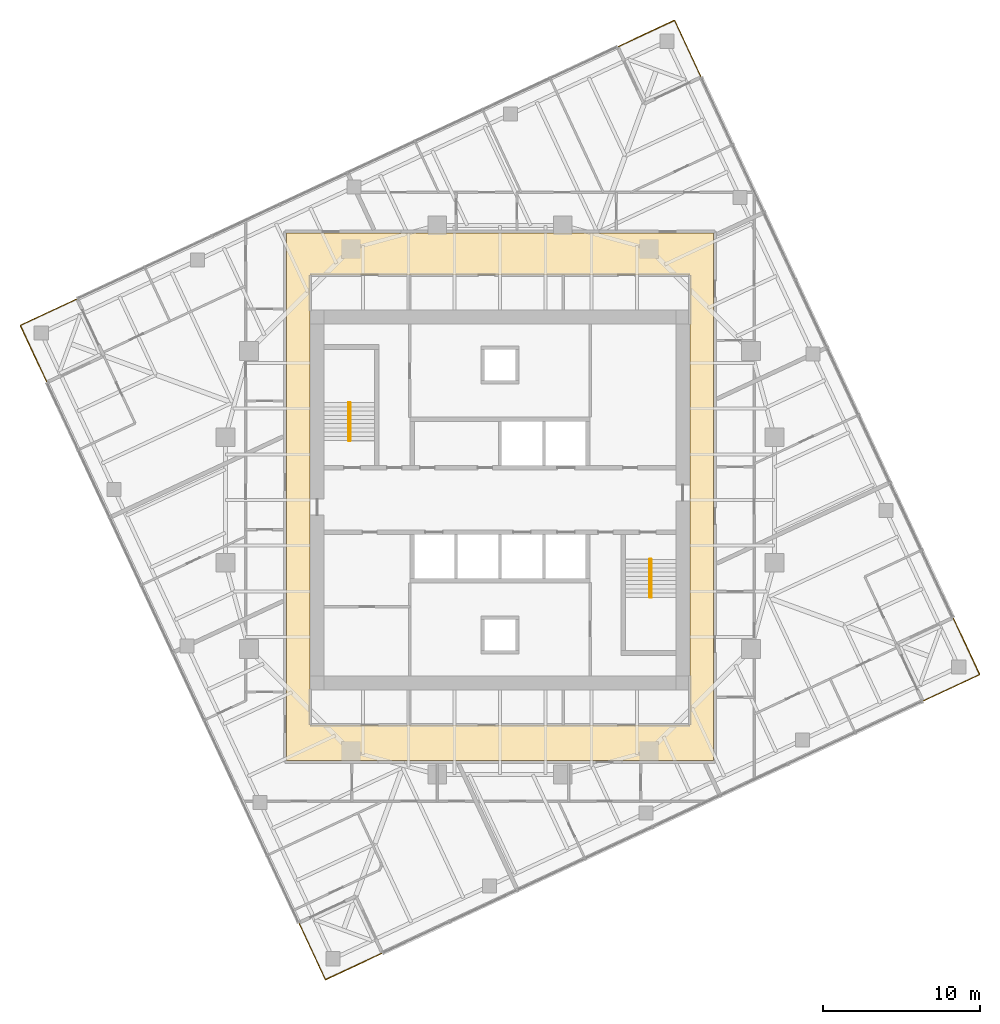
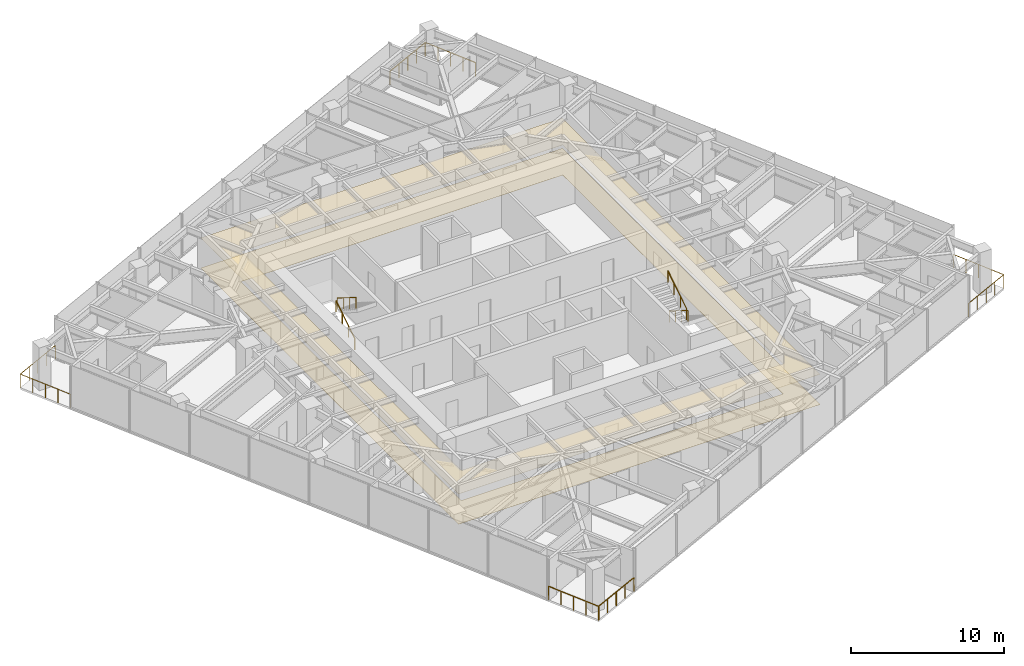
# One storey, part 12 of 12: 8 railings, 2 coverings, 2 elements without a shape of their own.
"""IFC4 building model written with IfcOpenShell, lengths in metres."""

import ifcopenshell
import ifcopenshell.guid

model = None  # the IFC model being written
_history = None  # IfcOwnerHistory: only IFC2X3 demands one
_inside = {}  # id of a spatial element -> (the spatial element, [elements in it])
_under = {}  # id of a project, library or spatial element -> (it, [spatial elements below it])
_declared = {}  # id of a project -> (the project, [libraries it declares])
_typed = {}  # id of a type object -> (the type object, [elements of that type])
_made_of = {}  # id of a material, layer set ... -> (it, [elements and type objects made of it])


def new_model(schema):
    """Start an empty IFC model of exactly this schema.

    Asked for "IFC4X3", IfcOpenShell would pick the latest addendum, in which some entities
    have other attributes; the version numbers below select the first issue.
    IFC2X3 requires an IfcOwnerHistory on every rooted entity: one is made here for all.
    """
    global model, _history
    if schema == "IFC4X3":
        model = ifcopenshell.file(schema_version=(4, 3, 0, 0))
    else:
        model = ifcopenshell.file(schema=schema)
    _inside.clear()
    _under.clear()
    _declared.clear()
    _typed.clear()
    _made_of.clear()
    _history = None
    if model.schema == "IFC2X3":
        org = make("IfcOrganization", Name="unknown")
        user = make(
            "IfcPersonAndOrganization",
            ThePerson=make("IfcPerson", FamilyName="unknown"),
            TheOrganization=org,
        )
        app = make(
            "IfcApplication",
            ApplicationDeveloper=org,
            Version="unknown",
            ApplicationFullName="unknown",
            ApplicationIdentifier="unknown",
        )
        _history = make(
            "IfcOwnerHistory",
            OwningUser=user,
            OwningApplication=app,
            ChangeAction="ADDED",
            CreationDate=0,
        )
    return model


def make(cls, **values):
    """One entity of the class cls with the attributes given. An attribute that is None is left unset."""
    return model.create_entity(
        cls, **{name: value for name, value in values.items() if value is not None}
    )


def rooted(cls, **values):
    """An entity with a GlobalId (a new one), such as an element, a storey or a relation."""
    return make(cls, GlobalId=ifcopenshell.guid.new(), OwnerHistory=_history, **values)


def si_unit(unit_type, name, prefix=None):
    """IfcSIUnit, for example si_unit("LENGTHUNIT", "METRE", prefix="MILLI")."""
    return make("IfcSIUnit", UnitType=unit_type, Prefix=prefix, Name=name)


def assignment(units):
    """IfcUnitAssignment: the units of a project."""
    return None if units is None else make("IfcUnitAssignment", Units=units)


def point(xyz):
    """IfcCartesianPoint."""
    return None if xyz is None else make("IfcCartesianPoint", Coordinates=xyz)


def direction(xyz):
    """IfcDirection."""
    return None if xyz is None else make("IfcDirection", DirectionRatios=xyz)


def frame(location, z_axis=None, x_axis=None):
    """IfcAxis2Placement3D, a coordinate frame: its origin and axes. An axis left out is left unset."""
    return make(
        "IfcAxis2Placement3D",
        Location=point(location),
        Axis=direction(z_axis),
        RefDirection=direction(x_axis),
    )


def frame_2d(location, x_axis=None):
    """IfcAxis2Placement2D, a coordinate frame in the plane: its origin and x axis."""
    return make(
        "IfcAxis2Placement2D", Location=point(location), RefDirection=direction(x_axis)
    )


def origin():
    """The frame at (0, 0, 0) with its axes left unset."""
    return frame((0.0, 0.0, 0.0))


def origin_2d():
    """The frame at (0, 0) in the plane with its x axis left unset."""
    return frame_2d((0.0, 0.0))


def place(relative_to, where):
    """IfcLocalPlacement: puts the frame where relative to a parent placement (None: the world)."""
    return make(
        "IfcLocalPlacement", PlacementRelTo=relative_to, RelativePlacement=where
    )


def context(
    kind, dimensions, precision=None, world=None, true_north=None, identifier=None
):
    """IfcGeometricRepresentationContext, for example the 3D "Model" context."""
    return make(
        "IfcGeometricRepresentationContext",
        ContextIdentifier=identifier,
        ContextType=kind,
        CoordinateSpaceDimension=dimensions,
        Precision=precision,
        WorldCoordinateSystem=world,
        TrueNorth=true_north,
    )


def subcontext(parent, identifier, kind, view, scale=None):
    """IfcGeometricRepresentationSubContext, for example "Body" below "Model"."""
    return make(
        "IfcGeometricRepresentationSubContext",
        ContextIdentifier=identifier,
        ContextType=kind,
        ParentContext=parent,
        TargetScale=scale,
        TargetView=view,
    )


def project(units=None, contexts=None):
    """IfcProject with its units and contexts."""
    return rooted(
        "IfcProject",
        Name="project",
        RepresentationContexts=contexts,
        UnitsInContext=assignment(units),
    )


def spatial(cls, under=None, at=None, **own):
    """A site, building, storey or space (cls), placed at a placement, below another one or the project."""
    s = rooted(cls, ObjectPlacement=at, **own)
    if under is not None:
        _under.setdefault(under.id(), (under, []))[1].append(s)
    return s


def polyline(points):
    """IfcPolyline through the points."""
    return make("IfcPolyline", Points=[point(p) for p in points])


def profile(cls, at=None, kind="AREA", **sizes):
    """A parametric profile (cls). Its sizes go by their IFC names, for example OverallWidth=200.0."""
    return make(cls, ProfileType=kind, Position=at, **sizes)


def circle(**sizes):
    """IfcCircleProfileDef."""
    return profile("IfcCircleProfileDef", **sizes)


def outline(outer, holes=None, kind="AREA"):
    """IfcArbitraryClosedProfileDef: a profile drawn as a closed curve; with holes, ...WithVoids."""
    if holes is None:
        return make("IfcArbitraryClosedProfileDef", ProfileType=kind, OuterCurve=outer)
    return make(
        "IfcArbitraryProfileDefWithVoids",
        ProfileType=kind,
        OuterCurve=outer,
        InnerCurves=holes,
    )


def extrude(swept, where, along, depth):
    """IfcExtrudedAreaSolid: the profile swept, set in the frame where, extruded along a direction by depth."""
    return make(
        "IfcExtrudedAreaSolid",
        SweptArea=swept,
        Position=where,
        ExtrudedDirection=direction(along),
        Depth=depth,
    )


def shape(context_of_items, identifier, shape_type, items):
    """IfcShapeRepresentation: the items that make up one representation, for example the "Body"."""
    return make(
        "IfcShapeRepresentation",
        ContextOfItems=context_of_items,
        RepresentationIdentifier=identifier,
        RepresentationType=shape_type,
        Items=items,
    )


def material(Name=None, Category=None):
    """IfcMaterial."""
    return make("IfcMaterial", Name=Name, Category=Category)


def layer(
    of_material, thickness, ventilated=None, Name=None, Category=None, Priority=None
):
    """IfcMaterialLayer: one layer of a wall or slab, of a material (None: an air gap)."""
    return make(
        "IfcMaterialLayer",
        Material=of_material,
        LayerThickness=thickness,
        IsVentilated=ventilated,
        Name=Name,
        Category=Category,
        Priority=Priority,
    )


def layer_set(layers, Name=None):
    """IfcMaterialLayerSet."""
    return make("IfcMaterialLayerSet", MaterialLayers=layers, LayerSetName=Name)


def made_of(thing, what):
    """Note that an element or type object is made of a material, layer set ...; save() writes the relation."""
    if what is not None:
        _made_of.setdefault(what.id(), (what, []))[1].append(thing)
    return thing


def type_object(cls, material=None, **own):
    """A type object (cls), such as IfcWallType, which elements share."""
    return made_of(rooted(cls, **own), material)


def element(
    cls,
    number,
    at=None,
    inside=None,
    cuts=None,
    type_object=None,
    material=None,
    context=None,
    identifier="Body",
    shape_type=None,
    held_by="IfcProductDefinitionShape",
    body=None,
    shapes=None,
    **own,
):
    """One element of the class cls, such as IfcWall. Its Tag is "e" and its number.

    at: its placement. inside: the storey or other place that contains it. cuts: it is an
    opening in that element (IfcRelVoidsElement). A single representation is given by context,
    identifier, shape_type and body (its items); several are given by shapes. held_by: the class
    of the entity that holds the representations. save() writes the other relations.
    """
    e = rooted(cls, Tag="e%d" % number, ObjectPlacement=at, **own)
    if body is not None:
        shapes = [shape(context, identifier, shape_type, body)]
    if shapes is not None:
        e.Representation = make(held_by, Representations=shapes)
    if inside is not None:
        _inside.setdefault(inside.id(), (inside, []))[1].append(e)
    if cuts is not None:
        rooted(
            "IfcRelVoidsElement", RelatingBuildingElement=cuts, RelatedOpeningElement=e
        )
    if type_object is not None:
        _typed.setdefault(type_object.id(), (type_object, []))[1].append(e)
    return made_of(e, material)


def aggregate(whole, parts):
    """IfcRelAggregates: a whole, such as a stair, and the parts it consists of."""
    return rooted("IfcRelAggregates", RelatingObject=whole, RelatedObjects=parts)


def save(model, path):
    """Write the relations noted so far, then the file.

    IfcRelAggregates (storeys below a building ...), IfcRelContainedInSpatialStructure (elements
    in a storey), IfcRelDefinesByType, IfcRelAssociatesMaterial and IfcRelDeclares: one each for
    every whole, place, type object, material and project.
    """
    for whole, parts in _under.values():
        aggregate(whole, parts)
    for where, things in _inside.values():
        rooted(
            "IfcRelContainedInSpatialStructure",
            RelatedElements=things,
            RelatingStructure=where,
        )
    for kind, things in _typed.values():
        rooted("IfcRelDefinesByType", RelatedObjects=things, RelatingType=kind)
    for what, things in _made_of.values():
        rooted("IfcRelAssociatesMaterial", RelatedObjects=things, RelatingMaterial=what)
    for by, libraries in _declared.values():
        rooted("IfcRelDeclares", RelatingContext=by, RelatedDefinitions=libraries)
    model.write(path)


model = new_model("IFC4")

# Units and contexts
model_context = context("Model", 3, precision=1e-05, world=origin(), true_north=direction((0.0, 1.0)))
body_context = subcontext(model_context, "Body", "Model", "MODEL_VIEW")
ifc_project = project(units=[si_unit("LENGTHUNIT", "METRE"), si_unit("AREAUNIT", "SQUARE_METRE"), si_unit("VOLUMEUNIT", "CUBIC_METRE"), si_unit("PLANEANGLEUNIT", "RADIAN"), si_unit("MASSUNIT", "GRAM", prefix="KILO")], contexts=[model_context])

# Site, building, storey
site_placement = place(None, origin())
site = spatial("IfcSite", under=ifc_project, at=site_placement, CompositionType="ELEMENT")
building_placement = place(site_placement, origin())
building = spatial("IfcBuilding", under=site, at=building_placement, Name="Torsade Residences", CompositionType="ELEMENT")
storey_placement = place(building_placement, frame((0.0, 0.0, 189.60009765625)))
storey = spatial("IfcBuildingStorey", under=building, at=storey_placement, Name="L52", CompositionType="ELEMENT", Elevation=189.60009765625)

# Coverings
ifc_material_1 = material(Name="Nylon carpet tile on underlay", Category="textile")
ifc_layer_1 = layer(ifc_material_1, 0.010009765625)
ifc_layer_set_1 = layer_set([ifc_layer_1], Name="Nylon carpet tile on underlay")
covering_type_1 = type_object("IfcCoveringType", Name="CORRIDOR CARPET TILE 10", PredefinedType="FLOORING", material=ifc_layer_set_1)
covering_1_placement = place(storey_placement, origin())
element("IfcCovering", 1, at=covering_1_placement, inside=storey, type_object=covering_type_1, Name="Corridor carpet L52", PredefinedType="FLOORING", context=body_context, shape_type="SweptSolid", body=[
    extrude(outline(polyline([(26.39990234375, 47.0), (26.39990234375, 13.39990234375), (53.60009765625, 13.39990234375), (53.60009765625, 47.0), (26.39990234375, 47.0)]), holes=[polyline([(52.10009765625, 44.35009765625), (27.89990234375, 44.35009765625), (27.89990234375, 15.64990234375), (52.10009765625, 15.64990234375), (52.10009765625, 44.35009765625)])]), origin(), (0.0, 0.0, 1.0), 0.010009765625),
])
ifc_material_2 = material(Name="Plasterboard on suspended steel grid", Category="steel")
ifc_layer_2 = layer(ifc_material_2, 0.012939453125)
ifc_layer_set_2 = layer_set([ifc_layer_2], Name="Plasterboard on suspended steel grid")
covering_type_2 = type_object("IfcCoveringType", Name="CORRIDOR SUSPENDED CEILING 13", PredefinedType="CEILING", material=ifc_layer_set_2)
covering_2_placement = place(storey_placement, frame((0.0, 0.0, 2.39990234375)))
element("IfcCovering", 2, at=covering_2_placement, inside=storey, type_object=covering_type_2, Name="Corridor ceiling L52", PredefinedType="CEILING", context=body_context, shape_type="SweptSolid", body=[
    extrude(outline(polyline([(26.39990234375, 47.0), (26.39990234375, 13.39990234375), (53.60009765625, 13.39990234375), (53.60009765625, 47.0), (26.39990234375, 47.0)]), holes=[polyline([(52.10009765625, 44.35009765625), (27.89990234375, 44.35009765625), (27.89990234375, 15.64990234375), (52.10009765625, 15.64990234375), (52.10009765625, 44.35009765625)])]), origin(), (0.0, 0.0, 1.0), 0.012939453125),
])

# Stair, railings
ifc_material_3 = material(Name="Precast concrete 40 MPa", Category="concrete")
stair_type = type_object("IfcStairType", Name="HALF-TURN FIRE STAIR 1500x3400", PredefinedType="HALF_TURN_STAIR", material=ifc_material_3)
stair_1_placement = place(storey_placement, origin())
stair_1 = element("IfcStair", 3, at=stair_1_placement, inside=storey, type_object=stair_type, Name="Stair ST1 L52", PredefinedType="HALF_TURN_STAIR")
ifc_material_4 = material(Name="Steel handrail", Category="steel")
railing_type_1 = type_object("IfcRailingType", Name="STAIR HANDRAIL 900", PredefinedType="HANDRAIL", material=ifc_material_4)
railing_1_placement = place(storey_placement, frame((30.35009765625, 33.780029296875, 0.169921875)))
railing_1 = element("IfcRailing", 4, at=railing_1_placement, type_object=railing_type_1, Name="Handrail ST1 flight 1 L52", PredefinedType="HANDRAIL", context=body_context, shape_type="SweptSolid", body=[
    extrude(circle(Radius=0.02392578125, at=origin_2d()), frame((0.0, 0.0, 0.8759765625), z_axis=(0.0, 0.846221481393, 0.532831309544), x_axis=(-1.0, 0.0, 0.0)), (0.0, 0.0, 1.0), 2.87158203125),
    extrude(circle(Radius=0.02099609375, at=origin_2d()), origin(), (0.0, 0.0, 1.0), 0.851806640625),
    extrude(circle(Radius=0.02099609375, at=origin_2d()), frame((0.0, 0.81005859375, 0.510009765625)), (0.0, 0.0, 1.0), 0.851806640625),
    extrude(circle(Radius=0.02099609375, at=origin_2d()), frame((0.0, 1.619873046875, 1.02001953125)), (0.0, 0.0, 1.0), 0.851806640625),
    extrude(circle(Radius=0.02099609375, at=origin_2d()), frame((0.0, 2.429931640625, 1.530029296875)), (0.0, 0.0, 1.0), 0.851806640625),
])
railing_2_placement = place(storey_placement, frame((30.449951171875, 36.2099609375, 1.869873046875)))
railing_2 = element("IfcRailing", 5, at=railing_2_placement, type_object=railing_type_1, Name="Handrail ST1 flight 2 L52", PredefinedType="HANDRAIL", context=body_context, shape_type="SweptSolid", body=[
    extrude(circle(Radius=0.02392578125, at=origin_2d()), frame((0.0, 0.0, 0.8759765625), z_axis=(0.0, -0.846221481393, 0.532831309544), x_axis=(1.0, 0.0, 0.0)), (0.0, 0.0, 1.0), 2.87158203125),
    extrude(circle(Radius=0.02099609375, at=origin_2d()), origin(), (0.0, 0.0, 1.0), 0.851806640625),
    extrude(circle(Radius=0.02099609375, at=origin_2d()), frame((0.0, -0.81005859375, 0.510009765625)), (0.0, 0.0, 1.0), 0.851806640625),
    extrude(circle(Radius=0.02099609375, at=origin_2d()), frame((0.0, -1.619873046875, 1.02001953125)), (0.0, 0.0, 1.0), 0.851806640625),
    extrude(circle(Radius=0.02099609375, at=origin_2d()), frame((0.0, -2.429931640625, 1.530029296875)), (0.0, 0.0, 1.0), 0.851806640625),
])
aggregate(stair_1, [railing_1, railing_2])

stair_2_placement = place(storey_placement, origin())
stair_2 = element("IfcStair", 6, at=stair_2_placement, inside=storey, type_object=stair_type, Name="Stair ST2 L52", PredefinedType="HALF_TURN_STAIR")
railing_3_placement = place(storey_placement, frame((49.64990234375, 26.219970703125, 0.169921875)))
railing_3 = element("IfcRailing", 7, at=railing_3_placement, type_object=railing_type_1, Name="Handrail ST2 flight 1 L52", PredefinedType="HANDRAIL", context=body_context, shape_type="SweptSolid", body=[
    extrude(circle(Radius=0.02392578125, at=origin_2d()), frame((0.0, 0.0, 0.8759765625), z_axis=(0.0, -0.846221481393, 0.532831309544), x_axis=(1.0, 0.0, 0.0)), (0.0, 0.0, 1.0), 2.87158203125),
    extrude(circle(Radius=0.02099609375, at=origin_2d()), origin(), (0.0, 0.0, 1.0), 0.851806640625),
    extrude(circle(Radius=0.02099609375, at=origin_2d()), frame((0.0, -0.81005859375, 0.510009765625)), (0.0, 0.0, 1.0), 0.851806640625),
    extrude(circle(Radius=0.02099609375, at=origin_2d()), frame((0.0, -1.619873046875, 1.02001953125)), (0.0, 0.0, 1.0), 0.851806640625),
    extrude(circle(Radius=0.02099609375, at=origin_2d()), frame((0.0, -2.429931640625, 1.530029296875)), (0.0, 0.0, 1.0), 0.851806640625),
])
railing_4_placement = place(storey_placement, frame((49.550048828125, 23.7900390625, 1.869873046875)))
railing_4 = element("IfcRailing", 8, at=railing_4_placement, type_object=railing_type_1, Name="Handrail ST2 flight 2 L52", PredefinedType="HANDRAIL", context=body_context, shape_type="SweptSolid", body=[
    extrude(circle(Radius=0.02392578125, at=origin_2d()), frame((0.0, 0.0, 0.8759765625), z_axis=(0.0, 0.846221481393, 0.532831309544), x_axis=(-1.0, 0.0, 0.0)), (0.0, 0.0, 1.0), 2.87158203125),
    extrude(circle(Radius=0.02099609375, at=origin_2d()), origin(), (0.0, 0.0, 1.0), 0.851806640625),
    extrude(circle(Radius=0.02099609375, at=origin_2d()), frame((0.0, 0.81005859375, 0.510009765625)), (0.0, 0.0, 1.0), 0.851806640625),
    extrude(circle(Radius=0.02099609375, at=origin_2d()), frame((0.0, 1.619873046875, 1.02001953125)), (0.0, 0.0, 1.0), 0.851806640625),
    extrude(circle(Radius=0.02099609375, at=origin_2d()), frame((0.0, 2.429931640625, 1.530029296875)), (0.0, 0.0, 1.0), 0.851806640625),
])
aggregate(stair_2, [railing_3, railing_4])

# Railings
ifc_material_5 = material(Name="Laminated glass balustrade", Category="glass")
railing_type_2 = type_object("IfcRailingType", Name="TERRACE GLASS BALUSTRADE 1100", PredefinedType="BALUSTRADE", material=ifc_material_5)
railing_5_placement = place(storey_placement, frame((66.940185546875, 17.1845703125, 0.0)))
element("IfcRailing", 9, at=railing_5_placement, inside=storey, type_object=railing_type_2, Name="Terrace balustrade SE L52", PredefinedType="BALUSTRADE", context=body_context, shape_type="SweptSolid", body=[
    extrude(circle(Radius=0.02392578125, at=origin_2d()), frame((0.0, 0.0, 1.076171875), z_axis=(0.906278236866, 0.422681626502, 0.0), x_axis=(-0.422681626502, 0.906278236866, 0.0)), (0.0, 0.0, 1.0), 3.999755859375),
    extrude(circle(Radius=0.02392578125, at=origin_2d()), frame((3.625, 1.690673828125, 1.076171875), z_axis=(-0.422608113797, 0.906312519031, 0.0), x_axis=(-0.906312519031, -0.422608113797, 0.0)), (0.0, 0.0, 1.0), 4.0),
    extrude(circle(Radius=0.02099609375, at=origin_2d()), origin(), (0.0, 0.0, 1.0), 1.052001953125),
    extrude(circle(Radius=0.02099609375, at=origin_2d()), frame((0.90625, 0.422607421875, 0.0)), (0.0, 0.0, 1.0), 1.052001953125),
    extrude(circle(Radius=0.02099609375, at=origin_2d()), frame((1.8125, 0.84521484375, 0.0)), (0.0, 0.0, 1.0), 1.052001953125),
    extrude(circle(Radius=0.02099609375, at=origin_2d()), frame((2.71875, 1.26806640625, 0.0)), (0.0, 0.0, 1.0), 1.052001953125),
    extrude(circle(Radius=0.02099609375, at=origin_2d()), frame((3.625, 1.690673828125, 0.0)), (0.0, 0.0, 1.0), 1.052001953125),
    extrude(circle(Radius=0.02099609375, at=origin_2d()), frame((3.202392578125, 2.596923828125, 0.0)), (0.0, 0.0, 1.0), 1.052001953125),
    extrude(circle(Radius=0.02099609375, at=origin_2d()), frame((2.77978515625, 3.50341796875, 0.0)), (0.0, 0.0, 1.0), 1.052001953125),
    extrude(circle(Radius=0.02099609375, at=origin_2d()), frame((2.357177734375, 4.40966796875, 0.0)), (0.0, 0.0, 1.0), 1.052001953125),
    extrude(circle(Radius=0.02099609375, at=origin_2d()), frame((1.9345703125, 5.31591796875, 0.0)), (0.0, 0.0, 1.0), 1.052001953125),
])
railing_6_placement = place(storey_placement, frame((52.8154296875, 56.940185546875, 0.0)))
element("IfcRailing", 10, at=railing_6_placement, inside=storey, type_object=railing_type_2, Name="Terrace balustrade NE L52", PredefinedType="BALUSTRADE", context=body_context, shape_type="SweptSolid", body=[
    extrude(circle(Radius=0.02392578125, at=origin_2d()), frame((0.0, 0.0, 1.076171875), z_axis=(-0.422681626502, 0.906278236866, 0.0), x_axis=(-0.906278236866, -0.422681626502, 0.0)), (0.0, 0.0, 1.0), 3.999755859375),
    extrude(circle(Radius=0.02392578125, at=origin_2d()), frame((-1.690673828125, 3.625, 1.076171875), z_axis=(-0.906312519031, -0.422608113797, 0.0), x_axis=(0.422608113797, -0.906312519031, 0.0)), (0.0, 0.0, 1.0), 4.0),
    extrude(circle(Radius=0.02099609375, at=origin_2d()), origin(), (0.0, 0.0, 1.0), 1.052001953125),
    extrude(circle(Radius=0.02099609375, at=origin_2d()), frame((-0.422607421875, 0.90625, 0.0)), (0.0, 0.0, 1.0), 1.052001953125),
    extrude(circle(Radius=0.02099609375, at=origin_2d()), frame((-0.84521484375, 1.8125, 0.0)), (0.0, 0.0, 1.0), 1.052001953125),
    extrude(circle(Radius=0.02099609375, at=origin_2d()), frame((-1.26806640625, 2.71875, 0.0)), (0.0, 0.0, 1.0), 1.052001953125),
    extrude(circle(Radius=0.02099609375, at=origin_2d()), frame((-1.690673828125, 3.625, 0.0)), (0.0, 0.0, 1.0), 1.052001953125),
    extrude(circle(Radius=0.02099609375, at=origin_2d()), frame((-2.596923828125, 3.202392578125, 0.0)), (0.0, 0.0, 1.0), 1.052001953125),
    extrude(circle(Radius=0.02099609375, at=origin_2d()), frame((-3.50341796875, 2.77978515625, 0.0)), (0.0, 0.0, 1.0), 1.052001953125),
    extrude(circle(Radius=0.02099609375, at=origin_2d()), frame((-4.40966796875, 2.357177734375, 0.0)), (0.0, 0.0, 1.0), 1.052001953125),
    extrude(circle(Radius=0.02099609375, at=origin_2d()), frame((-5.31591796875, 1.9345703125, 0.0)), (0.0, 0.0, 1.0), 1.052001953125),
])
railing_7_placement = place(storey_placement, frame((13.059814453125, 42.8154296875, 0.0)))
element("IfcRailing", 11, at=railing_7_placement, inside=storey, type_object=railing_type_2, Name="Terrace balustrade NW L52", PredefinedType="BALUSTRADE", context=body_context, shape_type="SweptSolid", body=[
    extrude(circle(Radius=0.02392578125, at=origin_2d()), frame((0.0, 0.0, 1.076171875), z_axis=(-0.906278236866, -0.422681626502, 0.0), x_axis=(0.422681626502, -0.906278236866, 0.0)), (0.0, 0.0, 1.0), 3.999755859375),
    extrude(circle(Radius=0.02392578125, at=origin_2d()), frame((-3.625, -1.690673828125, 1.076171875), z_axis=(0.422608113797, -0.906312519031, 0.0), x_axis=(0.906312519031, 0.422608113797, 0.0)), (0.0, 0.0, 1.0), 4.0),
    extrude(circle(Radius=0.02099609375, at=origin_2d()), origin(), (0.0, 0.0, 1.0), 1.052001953125),
    extrude(circle(Radius=0.02099609375, at=origin_2d()), frame((-0.90625, -0.422607421875, 0.0)), (0.0, 0.0, 1.0), 1.052001953125),
    extrude(circle(Radius=0.02099609375, at=origin_2d()), frame((-1.8125, -0.84521484375, 0.0)), (0.0, 0.0, 1.0), 1.052001953125),
    extrude(circle(Radius=0.02099609375, at=origin_2d()), frame((-2.71875, -1.26806640625, 0.0)), (0.0, 0.0, 1.0), 1.052001953125),
    extrude(circle(Radius=0.02099609375, at=origin_2d()), frame((-3.625, -1.690673828125, 0.0)), (0.0, 0.0, 1.0), 1.052001953125),
    extrude(circle(Radius=0.02099609375, at=origin_2d()), frame((-3.202392578125, -2.596923828125, 0.0)), (0.0, 0.0, 1.0), 1.052001953125),
    extrude(circle(Radius=0.02099609375, at=origin_2d()), frame((-2.77978515625, -3.50341796875, 0.0)), (0.0, 0.0, 1.0), 1.052001953125),
    extrude(circle(Radius=0.02099609375, at=origin_2d()), frame((-2.357177734375, -4.40966796875, 0.0)), (0.0, 0.0, 1.0), 1.052001953125),
    extrude(circle(Radius=0.02099609375, at=origin_2d()), frame((-1.9345703125, -5.31591796875, 0.0)), (0.0, 0.0, 1.0), 1.052001953125),
])
railing_8_placement = place(storey_placement, frame((27.1845703125, 3.059814453125, 0.0)))
element("IfcRailing", 12, at=railing_8_placement, inside=storey, type_object=railing_type_2, Name="Terrace balustrade SW L52", PredefinedType="BALUSTRADE", context=body_context, shape_type="SweptSolid", body=[
    extrude(circle(Radius=0.02392578125, at=origin_2d()), frame((0.0, 0.0, 1.076171875), z_axis=(0.422681626502, -0.906278236866, 0.0), x_axis=(0.906278236866, 0.422681626502, 0.0)), (0.0, 0.0, 1.0), 3.999755859375),
    extrude(circle(Radius=0.02392578125, at=origin_2d()), frame((1.690673828125, -3.625, 1.076171875), z_axis=(0.906312519031, 0.422608113797, 0.0), x_axis=(-0.422608113797, 0.906312519031, 0.0)), (0.0, 0.0, 1.0), 4.0),
    extrude(circle(Radius=0.02099609375, at=origin_2d()), origin(), (0.0, 0.0, 1.0), 1.052001953125),
    extrude(circle(Radius=0.02099609375, at=origin_2d()), frame((0.422607421875, -0.90625, 0.0)), (0.0, 0.0, 1.0), 1.052001953125),
    extrude(circle(Radius=0.02099609375, at=origin_2d()), frame((0.84521484375, -1.8125, 0.0)), (0.0, 0.0, 1.0), 1.052001953125),
    extrude(circle(Radius=0.02099609375, at=origin_2d()), frame((1.26806640625, -2.71875, 0.0)), (0.0, 0.0, 1.0), 1.052001953125),
    extrude(circle(Radius=0.02099609375, at=origin_2d()), frame((1.690673828125, -3.625, 0.0)), (0.0, 0.0, 1.0), 1.052001953125),
    extrude(circle(Radius=0.02099609375, at=origin_2d()), frame((2.596923828125, -3.202392578125, 0.0)), (0.0, 0.0, 1.0), 1.052001953125),
    extrude(circle(Radius=0.02099609375, at=origin_2d()), frame((3.50341796875, -2.77978515625, 0.0)), (0.0, 0.0, 1.0), 1.052001953125),
    extrude(circle(Radius=0.02099609375, at=origin_2d()), frame((4.40966796875, -2.357177734375, 0.0)), (0.0, 0.0, 1.0), 1.052001953125),
    extrude(circle(Radius=0.02099609375, at=origin_2d()), frame((5.31591796875, -1.9345703125, 0.0)), (0.0, 0.0, 1.0), 1.052001953125),
])

save(model, "model.ifc")
